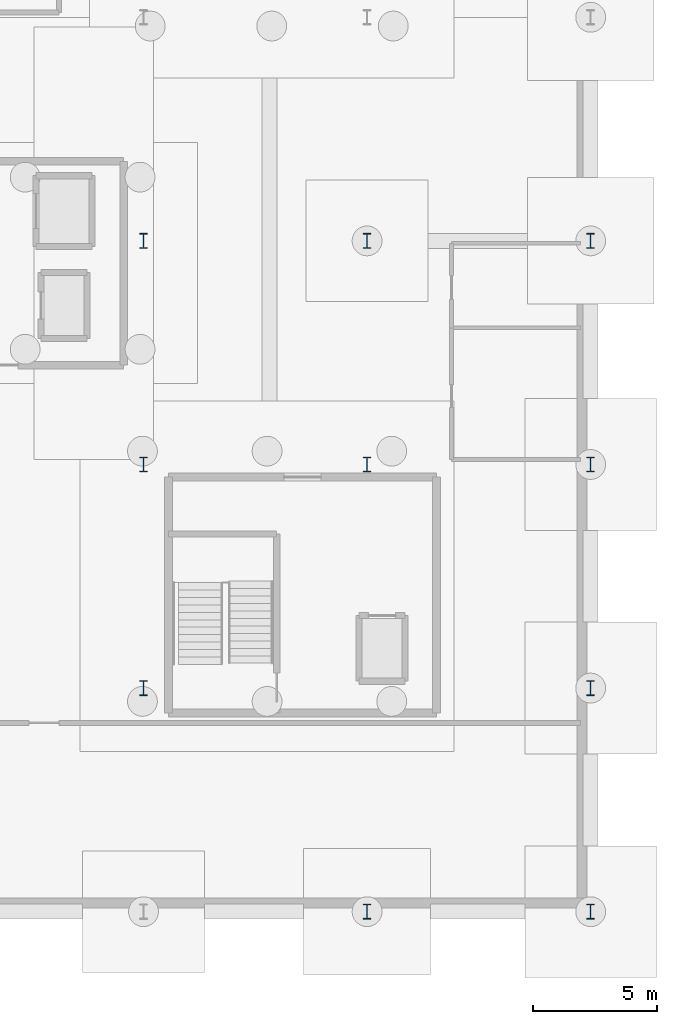
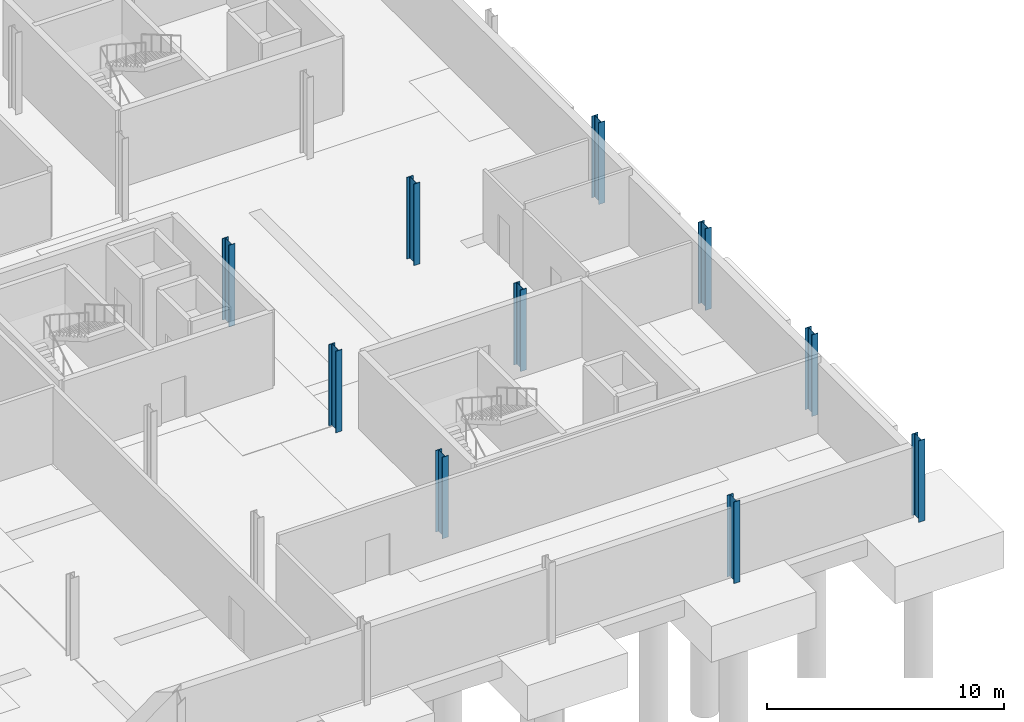
# One storey, part 25 of 42: 10 columns.
"""IFC4 building model written with IfcOpenShell, lengths in metres."""

from ifc_helpers import new_model, si_unit, direction, frame, origin, origin_2d, place, context, subcontext, project, spatial, i_section, extrude, material, material_profile, profile_set, type_object, element, save


model = new_model("IFC4")

# Units and contexts
model_context = context("Model", 3, precision=1e-05, world=origin(), true_north=direction((0.0, 1.0)))
body_context = subcontext(model_context, "Body", "Model", "MODEL_VIEW")
ifc_project = project(units=[si_unit("LENGTHUNIT", "METRE"), si_unit("AREAUNIT", "SQUARE_METRE"), si_unit("VOLUMEUNIT", "CUBIC_METRE"), si_unit("PLANEANGLEUNIT", "RADIAN"), si_unit("MASSUNIT", "GRAM", prefix="KILO")], contexts=[model_context])

# Site, building, storey
site_placement = place(None, origin())
site = spatial("IfcSite", under=ifc_project, at=site_placement, CompositionType="ELEMENT")
building_placement = place(site_placement, origin())
building = spatial("IfcBuilding", under=site, at=building_placement, Name="Deido Ridge Mobility Hub", CompositionType="ELEMENT")
storey_placement = place(building_placement, frame((0.0, 0.0, -4.199951171875)))
storey = spatial("IfcBuildingStorey", under=building, at=storey_placement, Name="B1", CompositionType="ELEMENT", Elevation=-4.199951171875)

# Columns
ifc_material = material(Name="Steel S355J2 EN 10025-2", Category="steel")
ifc_material_profile = material_profile(ifc_material, i_section(OverallWidth=0.300048828125, OverallDepth=0.60009765625, WebThickness=0.015380859375, FlangeThickness=0.030029296875, FilletRadius=0.027099609375, at=origin_2d()), Name="HEB 600")
ifc_profile_set = profile_set([ifc_material_profile], Name="Steel S355J2 EN 10025-2")
column_type = type_object("IfcColumnType", Name="COL-HEB600", PredefinedType="COLUMN", material=ifc_profile_set)
for number, where, z_axis, x_axis, name in (
    (1, (171.0, 0.0, 0.0), (0.0, 0.0, 1.0), (1.0, 0.0, 0.0), "Structural column C4"),
    (2, (180.0, 0.0, 0.0), (0.0, 0.0, 1.0), (1.0, 0.0, 0.0), "Structural column C4"),
    (3, (162.0, 9.0, 0.0), (0.0, 0.0, 1.0), (1.0, 0.0, 0.0), "Structural column C4"),
    (4, (180.0, 9.0, 0.0), (0.0, 0.0, 1.0), (1.0, 0.0, 0.0), "Structural column C4"),
    (5, (162.0, 18.0, 0.0), (0.0, 0.0, 1.0), (1.0, 0.0, 0.0), "Structural column C4"),
    (6, (171.0, 18.0, 0.0), (0.0, 0.0, 1.0), (1.0, 0.0, 0.0), "Structural column C4"),
    (7, (180.0, 18.0, 0.0), (0.0, 0.0, 1.0), (1.0, 0.0, 0.0), "Structural column C4"),
    (8, (162.0, 27.0, 0.0), (0.0, 0.0, 1.0), (1.0, 0.0, 0.0), "Structural column C4"),
    (9, (171.0, 27.0, 0.0), (0.0, 0.0, 1.0), (1.0, 0.0, 0.0), "Structural column C4"),
    (10, (180.0, 27.0, 0.0), (0.0, 0.0, 1.0), (1.0, 0.0, 0.0), "Structural column C4"),
):
    element("IfcColumn", number, at=place(storey_placement, frame(where, z_axis=z_axis, x_axis=x_axis)), inside=storey, type_object=column_type, Name=name, PredefinedType="COLUMN", context=body_context, shape_type="SweptSolid", body=[
        extrude(i_section(OverallWidth=0.300048828125, OverallDepth=0.60009765625, WebThickness=0.015380859375, FlangeThickness=0.030029296875, FilletRadius=0.027099609375, at=origin_2d()), origin(), (0.0, 0.0, 1.0), 4.199951171875),
    ])

save(model, "model.ifc")
